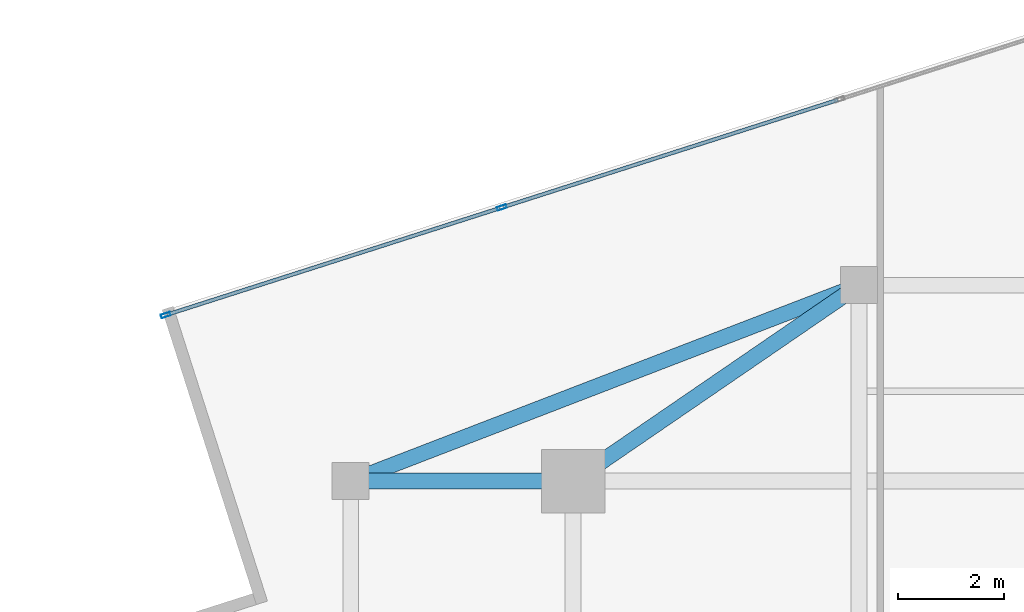
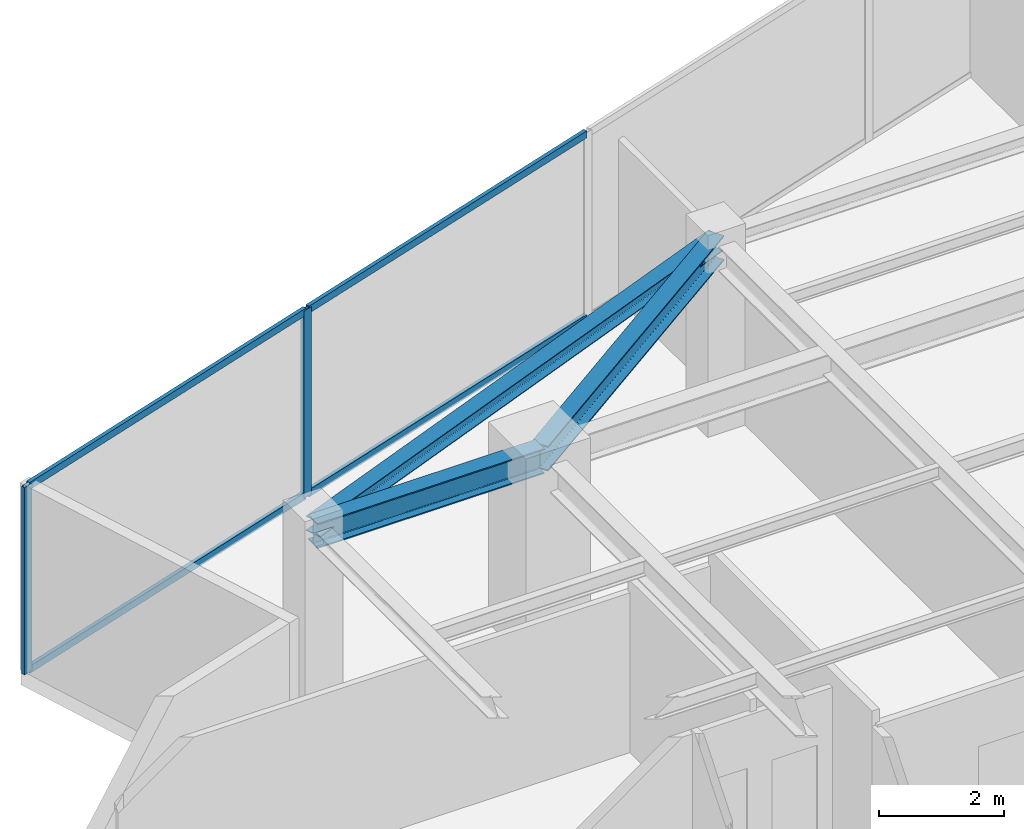
# One storey, part 13 of 21: 6 members, 3 beams, 1 element without a shape of its own.
"""IFC4 building model written with IfcOpenShell, lengths in metres."""

from ifc_helpers import new_model, si_unit, direction, frame, origin, origin_2d, place, context, subcontext, project, spatial, hollow_rectangle, i_section, extrude, source, transform, mapped, material, material_profile, profile_set, type_object, type_shapes, element, aggregate, save


model = new_model("IFC4")

# Units and contexts
model_context = context("Model", 3, precision=1e-05, world=origin(), true_north=direction((0.0, 1.0)))
body_context = subcontext(model_context, "Body", "Model", "MODEL_VIEW")
ifc_project = project(units=[si_unit("LENGTHUNIT", "METRE"), si_unit("AREAUNIT", "SQUARE_METRE"), si_unit("VOLUMEUNIT", "CUBIC_METRE"), si_unit("PLANEANGLEUNIT", "RADIAN"), si_unit("MASSUNIT", "GRAM", prefix="KILO")], contexts=[model_context])

# Site, building, storey
site_placement = place(None, origin())
site = spatial("IfcSite", under=ifc_project, at=site_placement, CompositionType="ELEMENT")
building_placement = place(site_placement, origin())
building = spatial("IfcBuilding", under=site, at=building_placement, Name="Krantzveldt Concourse Tower", CompositionType="ELEMENT")
storey_placement = place(building_placement, frame((0.0, 0.0, 343.5)))
storey = spatial("IfcBuildingStorey", under=building, at=storey_placement, Name="L84", CompositionType="ELEMENT", Elevation=343.5)

# Beams
ifc_material_1 = material(Name="Steel S355JR", Category="steel")
ifc_material_profile_1 = material_profile(ifc_material_1, i_section(OverallWidth=0.300048828125, OverallDepth=0.489990234375, WebThickness=0.011962890625, FlangeThickness=0.02294921875, FilletRadius=0.027099609375, at=origin_2d()), Name="Steel S355JR", Category="steel")
ifc_profile_set_1 = profile_set([ifc_material_profile_1], Name="Steel S355JR - HEA 500")
beam_type_1 = type_object("IfcBeamType", Name="BM-B-HEA500", PredefinedType="BEAM", material=ifc_profile_set_1)
shared_shape_1 = source(origin(), body_context, "Body", "SweptSolid", [
    extrude(i_section(OverallWidth=0.300048828125, OverallDepth=0.489990234375, WebThickness=0.011962890625, FlangeThickness=0.02294921875, FilletRadius=0.027099609375, at=origin_2d()), origin(), (0.0, 0.0, 1.0), 4.199951171875),
])
beam_1_placement = place(storey_placement, frame((21.0, 37.5, 3.425048828125), z_axis=(1.0, 0.0, 0.0), x_axis=(0.0, 1.0, 0.0)))
element("IfcBeam", 1, at=beam_1_placement, inside=storey, type_object=beam_type_1, Name="L84 Tower Girder BR-RL3", PredefinedType="BEAM", context=body_context, shape_type="MappedRepresentation", body=[
    mapped(shared_shape_1, transform((0.0, 0.0, 0.0), x_axis=(1.0, 0.0, 0.0), y_axis=(0.0, 1.0, 0.0), z_axis=(0.0, 0.0, 1.0), scale=1.0)),
])
shared_shape_2 = source(origin(), body_context, "Body", "SweptSolid", [
    extrude(i_section(OverallWidth=0.300048828125, OverallDepth=0.489990234375, WebThickness=0.011962890625, FlangeThickness=0.02294921875, FilletRadius=0.027099609375, at=origin_2d()), origin(), (0.0, 0.0, 1.0), 6.546142578125),
])
type_shapes(beam_type_1, [shared_shape_1, shared_shape_2])
beam_2_placement = place(storey_placement, frame((25.199951171875, 37.5, 3.425048828125), z_axis=(0.824942999484, 0.565215930068, 0.0), x_axis=(-0.565215930068, 0.824942999484, 0.0)))
element("IfcBeam", 2, at=beam_2_placement, inside=storey, type_object=beam_type_1, Name="L84 Tower Girder BR-RL4", PredefinedType="BEAM", context=body_context, shape_type="MappedRepresentation", body=[
    mapped(shared_shape_2, transform((0.0, 0.0, 0.0), x_axis=(1.0, 0.0, 0.0), y_axis=(0.0, 1.0, 0.0), z_axis=(0.0, 0.0, 1.0), scale=1.0)),
])
ifc_material_profile_2 = material_profile(ifc_material_1, i_section(OverallWidth=0.2900390625, OverallDepth=0.2900390625, WebThickness=0.008544921875, FlangeThickness=0.013916015625, FilletRadius=0.027099609375, at=origin_2d()), Name="Steel S355JR", Category="steel")
ifc_profile_set_2 = profile_set([ifc_material_profile_2], Name="Steel S355JR - HEA 300")
beam_type_2 = type_object("IfcBeamType", Name="BM-SP-HEA300", PredefinedType="SPANDREL", material=ifc_profile_set_2)
shared_shape_3 = source(origin(), body_context, "Body", "SweptSolid", [
    extrude(i_section(OverallWidth=0.2900390625, OverallDepth=0.2900390625, WebThickness=0.008544921875, FlangeThickness=0.013916015625, FilletRadius=0.027099609375, at=origin_2d()), origin(), (0.0, 0.0, 1.0), 10.288330078125),
])
type_shapes(beam_type_2, [shared_shape_3])
beam_3_placement = place(storey_placement, frame((21.0, 37.5, 3.52490234375), z_axis=(0.933097690408, 0.359622997257, 0.0), x_axis=(-0.359622997257, 0.933097690408, 0.0)))
element("IfcBeam", 3, at=beam_3_placement, inside=storey, type_object=beam_type_2, Name="L84 Tower Girder SP-R03", PredefinedType="SPANDREL", context=body_context, shape_type="MappedRepresentation", body=[
    mapped(shared_shape_3, transform((0.0, 0.0, 0.0), x_axis=(1.0, 0.0, 0.0), y_axis=(0.0, 1.0, 0.0), z_axis=(0.0, 0.0, 1.0), scale=1.0)),
])

# Curtain wall, members
ifc_material_2 = material(Name="Anodised aluminium 6063-T6", Category="aluminium")
curtain_wall_type = type_object("IfcCurtainWallType", Name="CW4", PredefinedType="USERDEFINED", material=ifc_material_2)
curtain_wall_placement = place(storey_placement, origin())
curtain_wall = element("IfcCurtainWall", 4, at=curtain_wall_placement, inside=storey, type_object=curtain_wall_type, Name="CW-L84-F01", ObjectType="UNITISED CURTAIN WALL", PredefinedType="USERDEFINED")
ifc_material_profile_3 = material_profile(ifc_material_2, hollow_rectangle(XDim=0.070068359375, YDim=0.179931640625, WallThickness=0.0048828125, at=origin_2d()), Name="Anodised aluminium 6063-T6", Category="aluminium")
ifc_profile_set_3 = profile_set([ifc_material_profile_3], Name="Anodised aluminium 6063-T6 - ALU-MULL 180x70x5")
member_type_1 = type_object("IfcMemberType", Name="CW-MUL-180", PredefinedType="MULLION", material=ifc_profile_set_3)
shared_shape_4 = source(origin(), body_context, "Body", "SweptSolid", [
    extrude(hollow_rectangle(XDim=0.070068359375, YDim=0.179931640625, WallThickness=0.0048828125, at=origin_2d()), origin(), (0.0, 0.0, 1.0), 3.669921875),
])
type_shapes(member_type_1, [shared_shape_4])
member_1_placement = place(storey_placement, frame((23.85400390625, 42.667236328125, 0.0), z_axis=(0.0, 0.0, 1.0), x_axis=(0.304864162408, -0.952395843376, 0.0)))
member_1 = element("IfcMember", 5, at=member_1_placement, type_object=member_type_1, Name="CW-Z56 mullion 4", PredefinedType="MULLION", context=body_context, shape_type="MappedRepresentation", body=[
    mapped(shared_shape_4, transform((0.0, 0.0, 0.0), x_axis=(1.0, 0.0, 0.0), y_axis=(0.0, 1.0, 0.0), z_axis=(0.0, 0.0, 1.0), scale=1.0)),
])
member_2_placement = place(storey_placement, frame((17.50634765625, 40.63525390625, 0.0), z_axis=(0.0, 0.0, 1.0), x_axis=(0.304864162408, -0.952395843376, 0.0)))
member_2 = element("IfcMember", 6, at=member_2_placement, type_object=member_type_1, Name="CW-Z56 mullion 5", PredefinedType="MULLION", context=body_context, shape_type="MappedRepresentation", body=[
    mapped(shared_shape_4, transform((0.0, 0.0, 0.0), x_axis=(1.0, 0.0, 0.0), y_axis=(0.0, 1.0, 0.0), z_axis=(0.0, 0.0, 1.0), scale=1.0)),
])
ifc_material_profile_4 = material_profile(ifc_material_2, hollow_rectangle(XDim=0.070068359375, YDim=0.139892578125, WallThickness=0.0048828125, at=origin_2d()), Name="Anodised aluminium 6063-T6", Category="aluminium")
ifc_profile_set_4 = profile_set([ifc_material_profile_4], Name="Anodised aluminium 6063-T6 - ALU-TRAN 140x70x5")
member_type_2 = type_object("IfcMemberType", Name="CW-TRN-150", PredefinedType="USERDEFINED", material=ifc_profile_set_4)
shared_shape_5 = source(origin(), body_context, "Body", "SweptSolid", [
    extrude(hollow_rectangle(XDim=0.070068359375, YDim=0.139892578125, WallThickness=0.0048828125, at=origin_2d()), origin(), (0.0, 0.0, 1.0), 6.594970703125),
])
member_3_placement = place(storey_placement, frame((23.820556640625, 42.656494140625, 0.034912109375), z_axis=(-0.952398783715, -0.304854976635, 0.0), x_axis=(0.304854976635, -0.952398783715, 0.0)))
member_3 = element("IfcMember", 7, at=member_3_placement, type_object=member_type_2, Name="CW-Z56 transom 4.1", ObjectType="TRANSOM", PredefinedType="USERDEFINED", context=body_context, shape_type="MappedRepresentation", body=[
    mapped(shared_shape_5, transform((0.0, 0.0, 0.0), x_axis=(1.0, 0.0, 0.0), y_axis=(0.0, 1.0, 0.0), z_axis=(0.0, 0.0, 1.0), scale=1.0)),
])
member_4_placement = place(storey_placement, frame((23.820556640625, 42.656494140625, 3.635009765625), z_axis=(-0.952398783715, -0.304854976635, 0.0), x_axis=(0.304854976635, -0.952398783715, 0.0)))
member_4 = element("IfcMember", 8, at=member_4_placement, type_object=member_type_2, Name="CW-Z56 transom 4.2", ObjectType="TRANSOM", PredefinedType="USERDEFINED", context=body_context, shape_type="MappedRepresentation", body=[
    mapped(shared_shape_5, transform((0.0, 0.0, 0.0), x_axis=(1.0, 0.0, 0.0), y_axis=(0.0, 1.0, 0.0), z_axis=(0.0, 0.0, 1.0), scale=1.0)),
])
shared_shape_6 = source(origin(), body_context, "Body", "SweptSolid", [
    extrude(hollow_rectangle(XDim=0.070068359375, YDim=0.139892578125, WallThickness=0.0048828125, at=origin_2d()), origin(), (0.0, 0.0, 1.0), 6.630126953125),
])
type_shapes(member_type_2, [shared_shape_5, shared_shape_6])
member_5_placement = place(storey_placement, frame((30.20166015625, 44.69921875, 0.034912109375), z_axis=(-0.95239720744, -0.304859901036, 0.0), x_axis=(0.304859901036, -0.95239720744, 0.0)))
member_5 = element("IfcMember", 9, at=member_5_placement, type_object=member_type_2, Name="CW-Z56 transom 3.1", ObjectType="TRANSOM", PredefinedType="USERDEFINED", context=body_context, shape_type="MappedRepresentation", body=[
    mapped(shared_shape_6, transform((0.0, 0.0, 0.0), x_axis=(1.0, 0.0, 0.0), y_axis=(0.0, 1.0, 0.0), z_axis=(0.0, 0.0, 1.0), scale=1.0)),
])
member_6_placement = place(storey_placement, frame((30.20166015625, 44.69921875, 3.635009765625), z_axis=(-0.95239720744, -0.304859901036, 0.0), x_axis=(0.304859901036, -0.95239720744, 0.0)))
member_6 = element("IfcMember", 10, at=member_6_placement, type_object=member_type_2, Name="CW-Z56 transom 3.2", ObjectType="TRANSOM", PredefinedType="USERDEFINED", context=body_context, shape_type="MappedRepresentation", body=[
    mapped(shared_shape_6, transform((0.0, 0.0, 0.0), x_axis=(1.0, 0.0, 0.0), y_axis=(0.0, 1.0, 0.0), z_axis=(0.0, 0.0, 1.0), scale=1.0)),
])
aggregate(curtain_wall, [member_1, member_2, member_5, member_6, member_3, member_4])

save(model, "model.ifc")
